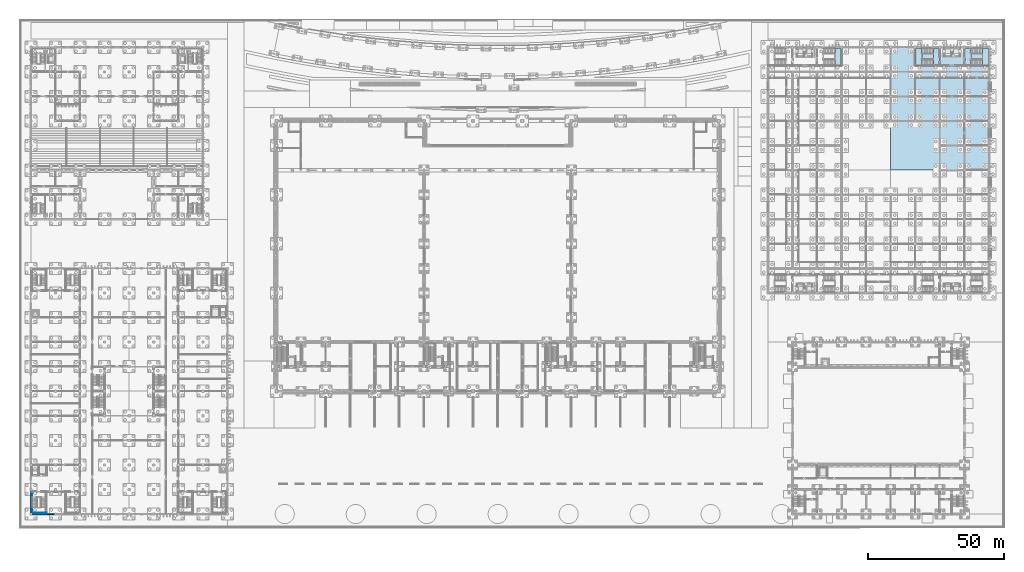
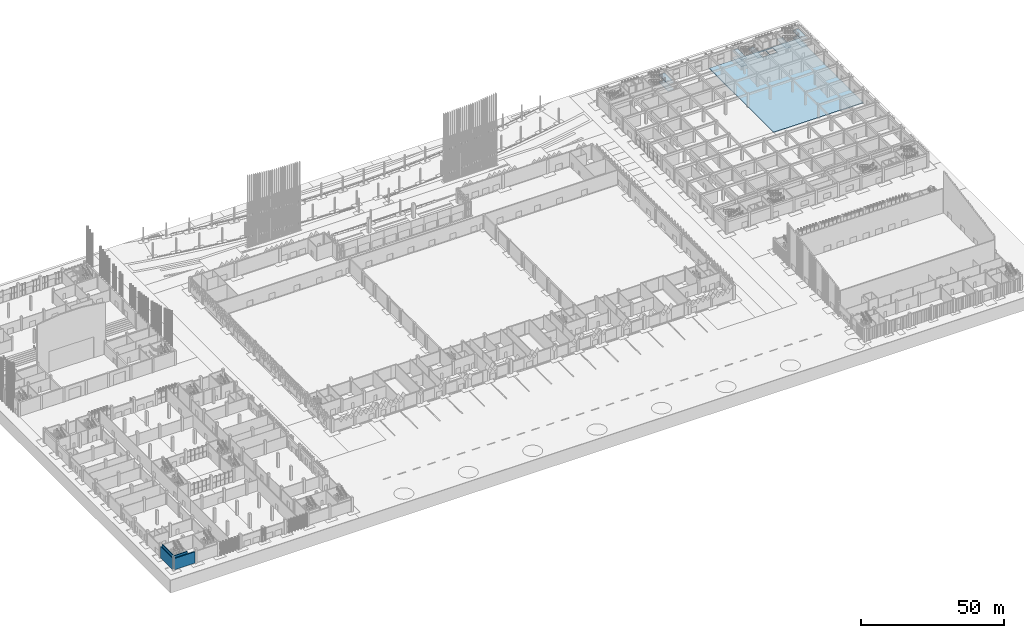
# One storey, part 76 of 198: 9 slabs, 4 walls, 3 elements without a shape of their own.
"""IFC4 building model written with IfcOpenShell, lengths in metres."""

from ifc_helpers import new_model, si_unit, direction, frame, frame_2d, origin, place, context, subcontext, project, spatial, polyline, rectangle, outline, extrude, material, layer, layer_set, type_object, element, aggregate, save


model = new_model("IFC4")

# Units and contexts
model_context = context("Model", 3, precision=1e-05, world=origin(), true_north=direction((0.0, 1.0)))
body_context = subcontext(model_context, "Body", "Model", "MODEL_VIEW")
ifc_project = project(units=[si_unit("LENGTHUNIT", "METRE"), si_unit("AREAUNIT", "SQUARE_METRE"), si_unit("VOLUMEUNIT", "CUBIC_METRE"), si_unit("PLANEANGLEUNIT", "RADIAN"), si_unit("MASSUNIT", "GRAM", prefix="KILO")], contexts=[model_context])

# Site, building, storey
site_placement = place(None, origin())
site = spatial("IfcSite", under=ifc_project, at=site_placement, CompositionType="ELEMENT")
building_placement = place(site_placement, origin())
building = spatial("IfcBuilding", under=site, at=building_placement, Name="Opaline Strait Convention Centre", CompositionType="ELEMENT")
storey_placement = place(building_placement, origin())
storey = spatial("IfcBuildingStorey", under=building, at=storey_placement, Name="L00", CompositionType="ELEMENT", Elevation=0.0)

# Slab
ifc_material_1 = material(Name="Concrete C30", Category="concrete")
ifc_layer_1 = layer(ifc_material_1, 0.300048828125)
ifc_layer_set_1 = layer_set([ifc_layer_1], Name="Concrete C30")
slab_type_1 = type_object("IfcSlabType", Name="RC ground slab 300 C30", PredefinedType="BASESLAB", material=ifc_layer_set_1)
slab_1_placement = place(storey_placement, frame((0.0, 0.0, -0.300048828125)))
element("IfcSlab", 1, at=slab_1_placement, inside=storey, type_object=slab_type_1, Name="MGS1 L00 slab pour NE", PredefinedType="BASESLAB", context=body_context, shape_type="SweptSolid", body=[
    extrude(outline(polyline([(360.199951171875, 180.199951171875), (360.199951171875, 135.0), (324.0, 135.0), (324.0, 180.199951171875), (360.199951171875, 180.199951171875)]), holes=[polyline([(343.5, 176.64990234375), (346.39990234375, 176.64990234375), (346.39990234375, 179.75), (343.5, 179.75), (343.5, 176.64990234375)]), polyline([(346.60009765625, 176.64990234375), (349.5, 176.64990234375), (349.5, 179.75), (346.60009765625, 179.75), (346.60009765625, 176.64990234375)])]), origin(), (0.0, 0.0, 1.0), 0.300048828125),
])

# Stair, slabs
ifc_material_2 = material(Name="Concrete C40", Category="concrete")
stair_type = type_object("IfcStairType", Name="Escape stair half-turn 2200 concrete C40", PredefinedType="HALF_TURN_STAIR", material=ifc_material_2)
stair_1_placement = place(storey_placement, origin())
stair_1 = element("IfcStair", 2, at=stair_1_placement, inside=storey, type_object=stair_type, Name="L00 Stair S6-MTG", ObjectType="MST1", PredefinedType="HALF_TURN_STAIR")
ifc_layer_2 = layer(ifc_material_2, 0.199951171875)
ifc_layer_set_2 = layer_set([ifc_layer_2], Name="Concrete C40")
slab_type_2 = type_object("IfcSlabType", Name="Stair landing 200 concrete C40", PredefinedType="LANDING", material=ifc_layer_set_2)
slab_2_placement = place(storey_placement, frame((0.0, 0.0, 1.300048828125)))
slab_2 = element("IfcSlab", 3, at=slab_2_placement, type_object=slab_type_2, Name="S6 landing 1", ObjectType="MSL1", PredefinedType="LANDING", context=body_context, shape_type="SweptSolid", body=[
    extrude(outline(polyline([(303.5498046875, 173.39990234375), (305.849853515625, 173.39990234375), (305.849853515625, 179.7998046875), (303.5498046875, 179.7998046875), (303.5498046875, 173.39990234375)])), origin(), (0.0, 0.0, 1.0), 0.199951171875),
])
slab_3_placement = place(storey_placement, frame((0.0, 0.0, 4.300048828125)))
slab_3 = element("IfcSlab", 4, at=slab_3_placement, type_object=slab_type_2, Name="S6 landing 3", ObjectType="MSL1", PredefinedType="LANDING", context=body_context, shape_type="SweptSolid", body=[
    extrude(outline(polyline([(303.5498046875, 173.39990234375), (305.849853515625, 173.39990234375), (305.849853515625, 179.7998046875), (303.5498046875, 179.7998046875), (303.5498046875, 173.39990234375)])), origin(), (0.0, 0.0, 1.0), 0.199951171875),
])
aggregate(stair_1, [slab_2, slab_3])

stair_2_placement = place(storey_placement, origin())
stair_2 = element("IfcStair", 5, at=stair_2_placement, inside=storey, type_object=stair_type, Name="L00 Stair S7-MTG", ObjectType="MST1", PredefinedType="HALF_TURN_STAIR")
slab_4_placement = place(storey_placement, frame((0.0, 0.0, 1.300048828125)))
slab_4 = element("IfcSlab", 6, at=slab_4_placement, type_object=slab_type_2, Name="S7 landing 1", ObjectType="MSL1", PredefinedType="LANDING", context=body_context, shape_type="SweptSolid", body=[
    extrude(outline(polyline([(357.5498046875, 173.39990234375), (359.7998046875, 173.39990234375), (359.7998046875, 179.7998046875), (357.5498046875, 179.7998046875), (357.5498046875, 173.39990234375)])), origin(), (0.0, 0.0, 1.0), 0.199951171875),
])
slab_5_placement = place(storey_placement, frame((0.0, 0.0, 2.800048828125)))
slab_5 = element("IfcSlab", 7, at=slab_5_placement, type_object=slab_type_2, Name="S7 landing 2", ObjectType="MSL1", PredefinedType="LANDING", context=body_context, shape_type="SweptSolid", body=[
    extrude(outline(polyline([(351.14990234375, 173.39990234375), (353.349853515625, 173.39990234375), (353.349853515625, 179.7998046875), (351.14990234375, 179.7998046875), (351.14990234375, 173.39990234375)])), origin(), (0.0, 0.0, 1.0), 0.199951171875),
])
slab_6_placement = place(storey_placement, frame((0.0, 0.0, 4.300048828125)))
slab_6 = element("IfcSlab", 8, at=slab_6_placement, type_object=slab_type_2, Name="S7 landing 3", ObjectType="MSL1", PredefinedType="LANDING", context=body_context, shape_type="SweptSolid", body=[
    extrude(outline(polyline([(357.5498046875, 173.39990234375), (359.7998046875, 173.39990234375), (359.7998046875, 179.7998046875), (357.5498046875, 179.7998046875), (357.5498046875, 173.39990234375)])), origin(), (0.0, 0.0, 1.0), 0.199951171875),
])
aggregate(stair_2, [slab_4, slab_5, slab_6])

stair_3_placement = place(storey_placement, origin())
stair_3 = element("IfcStair", 9, at=stair_3_placement, inside=storey, type_object=stair_type, Name="L00 Stair S8-MTG", ObjectType="MST1", PredefinedType="HALF_TURN_STAIR")
slab_7_placement = place(storey_placement, frame((0.0, 0.0, 1.300048828125)))
slab_7 = element("IfcSlab", 10, at=slab_7_placement, type_object=slab_type_2, Name="S8 landing 1", ObjectType="MSL1", PredefinedType="LANDING", context=body_context, shape_type="SweptSolid", body=[
    extrude(outline(polyline([(335.4501953125, 179.800048828125), (333.150146484375, 179.800048828125), (333.150146484375, 173.400146484375), (335.4501953125, 173.400146484375), (335.4501953125, 179.800048828125)])), origin(), (0.0, 0.0, 1.0), 0.199951171875),
])
slab_8_placement = place(storey_placement, frame((0.0, 0.0, 2.800048828125)))
slab_8 = element("IfcSlab", 11, at=slab_8_placement, type_object=slab_type_2, Name="S8 landing 2", ObjectType="MSL1", PredefinedType="LANDING", context=body_context, shape_type="SweptSolid", body=[
    extrude(outline(polyline([(341.85009765625, 179.800048828125), (339.650146484375, 179.800048828125), (339.650146484375, 173.400146484375), (341.85009765625, 173.400146484375), (341.85009765625, 179.800048828125)])), origin(), (0.0, 0.0, 1.0), 0.199951171875),
])
slab_9_placement = place(storey_placement, frame((0.0, 0.0, 4.300048828125)))
slab_9 = element("IfcSlab", 12, at=slab_9_placement, type_object=slab_type_2, Name="S8 landing 3", ObjectType="MSL1", PredefinedType="LANDING", context=body_context, shape_type="SweptSolid", body=[
    extrude(outline(polyline([(335.4501953125, 179.800048828125), (333.150146484375, 179.800048828125), (333.150146484375, 173.400146484375), (335.4501953125, 173.400146484375), (335.4501953125, 179.800048828125)])), origin(), (0.0, 0.0, 1.0), 0.199951171875),
])
aggregate(stair_3, [slab_7, slab_8, slab_9])

# Walls
ifc_layer_3 = layer(ifc_material_2, 0.300048828125)
ifc_layer_set_3 = layer_set([ifc_layer_3], Name="Concrete C40")
wall_type_1 = type_object("IfcWallType", Name="RC wall 300 C40", PredefinedType="SOLIDWALL", material=ifc_layer_set_3)
wall_1_placement = place(storey_placement, frame((9.39990234375, 9.35009765625, 0.0), z_axis=(0.0, 0.0, 1.0), x_axis=(1.0, 0.0, 0.0)))
element("IfcWall", 13, at=wall_1_placement, inside=storey, type_object=wall_type_1, Name="SW core STA-S wall", PredefinedType="SOLIDWALL", context=body_context, shape_type="SweptSolid", body=[
    extrude(rectangle(XDim=5.35009765625, YDim=0.300048828125, at=frame_2d((2.675048828125, 0.0))), origin(), (0.0, 0.0, 1.0), 5.719970703125),
])
wall_2_placement = place(storey_placement, frame((9.35009765625, 9.39990234375, 0.0), z_axis=(0.0, 0.0, 1.0), x_axis=(0.0, 1.0, 0.0)))
element("IfcWall", 14, at=wall_2_placement, inside=storey, type_object=wall_type_1, Name="SW core STA-W wall", PredefinedType="SOLIDWALL", context=body_context, shape_type="SweptSolid", body=[
    extrude(rectangle(XDim=7.900146484375, YDim=0.300048828125, at=frame_2d((3.9501953125, 0.0))), origin(), (0.0, 0.0, 1.0), 5.719970703125),
])
ifc_layer_4 = layer(ifc_material_2, 0.320068359375)
ifc_material_3 = material(Name="Mineral wool insulation")
ifc_layer_5 = layer(ifc_material_3, 0.050048828125)
ifc_material_4 = material(Name="Gypsum board lining")
ifc_layer_6 = layer(ifc_material_4, 0.030029296875)
ifc_layer_set_4 = layer_set([ifc_layer_4, ifc_layer_5, ifc_layer_6], Name="Concrete C40, Mineral wool insulation, Gypsum board lining")
wall_type_2 = type_object("IfcWallType", Name="RC wall 400 C40", PredefinedType="SOLIDWALL", material=ifc_layer_set_4)
for number, where, z_axis, x_axis, name in (
    (15, (9.39990234375, 9.0, 0.0), (0.0, 0.0, 1.0), (1.0, 0.0, 0.0), "L00 S external wall 1"),
    (16, (9.0, 9.39990234375, 0.0), (0.0, 0.0, 1.0), (0.0, 1.0, 0.0), "L00 W external wall 1"),
):
    element("IfcWall", number, at=place(storey_placement, frame(where, z_axis=z_axis, x_axis=x_axis)), inside=storey, type_object=wall_type_2, Name=name, PredefinedType="SOLIDWALL", context=body_context, shape_type="SweptSolid", body=[
        extrude(rectangle(XDim=8.2001953125, YDim=0.39990234375, at=frame_2d((4.10009765625, 0.0))), origin(), (0.0, 0.0, 1.0), 4.820068359375),
    ])

save(model, "model.ifc")
